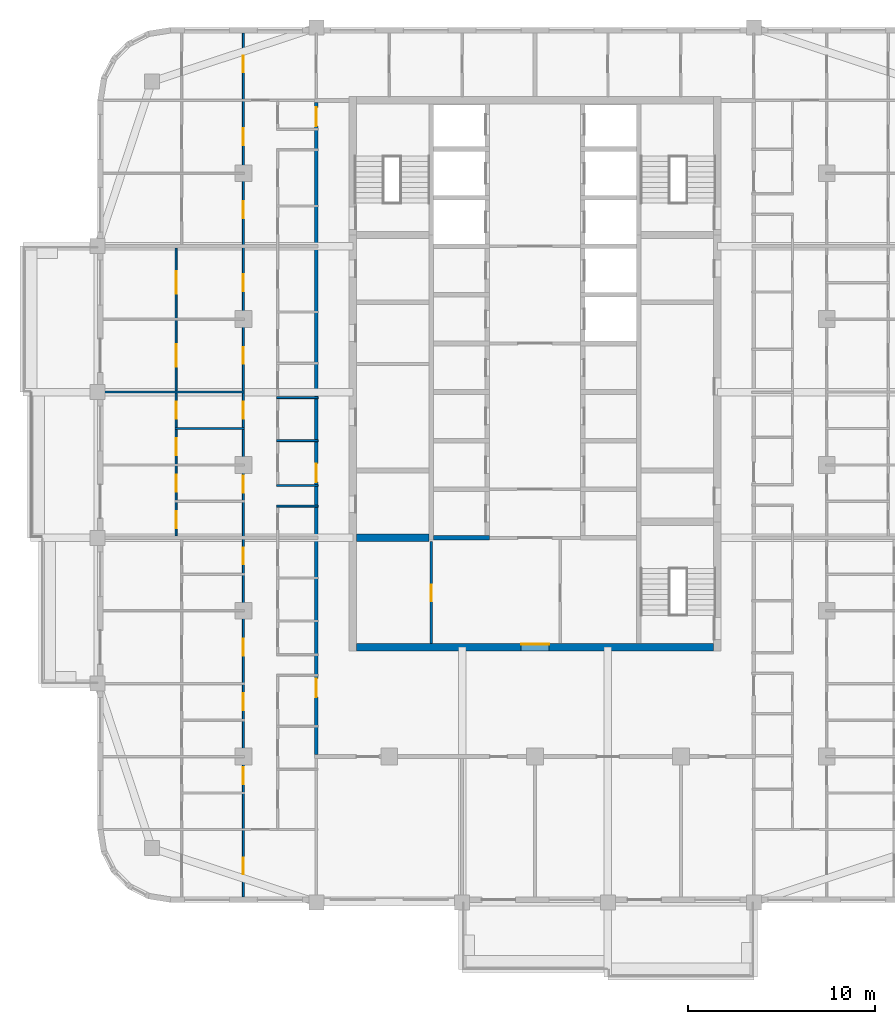
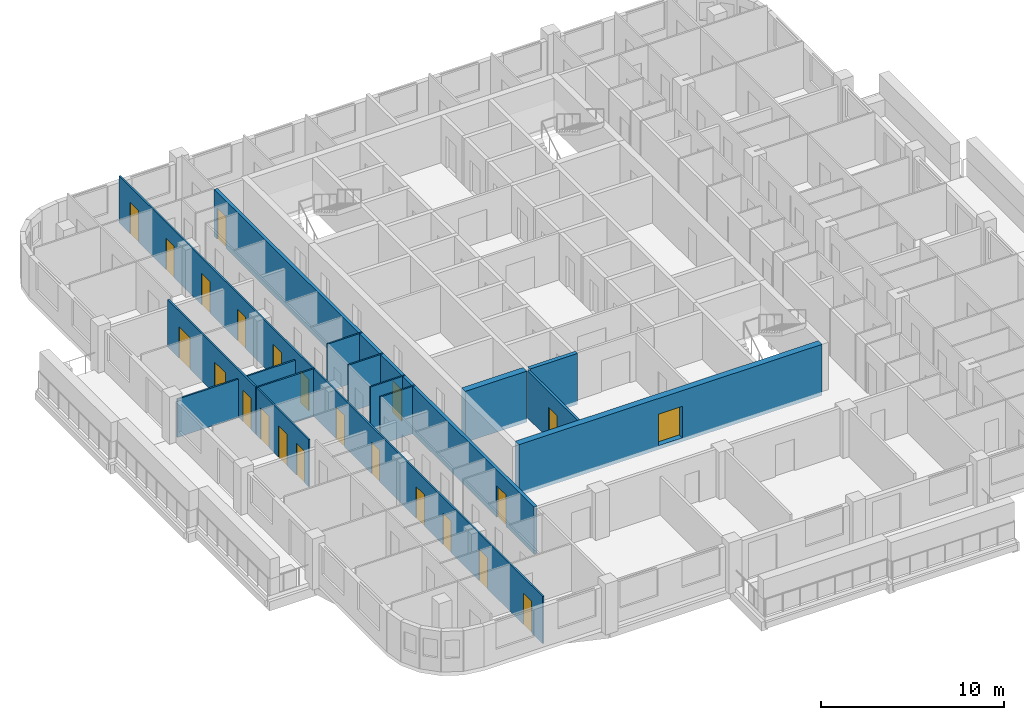
# One storey, part 4 of 16: 23 doors, 13 walls, 23 openings.
"""IFC4 building model written with IfcOpenShell, lengths in metres."""

from ifc_helpers import new_model, si_unit, direction, frame, frame_2d, origin, place, context, subcontext, project, spatial, rectangle, extrude, material, layer, layer_set, type_object, element, fill, save


model = new_model("IFC4")

# Units and contexts
model_context = context("Model", 3, precision=1e-05, world=origin(), true_north=direction((0.0, 1.0)))
body_context = subcontext(model_context, "Body", "Model", "MODEL_VIEW")
ifc_project = project(units=[si_unit("LENGTHUNIT", "METRE"), si_unit("AREAUNIT", "SQUARE_METRE"), si_unit("VOLUMEUNIT", "CUBIC_METRE"), si_unit("PLANEANGLEUNIT", "RADIAN"), si_unit("MASSUNIT", "GRAM", prefix="KILO")], contexts=[model_context])

# Site, building, storey
site_placement = place(None, origin())
site = spatial("IfcSite", under=ifc_project, at=site_placement, CompositionType="ELEMENT")
building_placement = place(site_placement, origin())
building = spatial("IfcBuilding", under=site, at=building_placement, Name="Ludao Terraces", CompositionType="ELEMENT")
storey_placement = place(building_placement, frame((0.0, 0.0, 234.699951171875)))
storey = spatial("IfcBuildingStorey", under=building, at=storey_placement, Name="L64", CompositionType="ELEMENT", Elevation=234.699951171875)

# Wall, opening, door
ifc_material_1 = material(Name="Concrete C50", Category="concrete")
ifc_layer_1 = layer(ifc_material_1, 0.39990234375)
ifc_layer_set_1 = layer_set([ifc_layer_1], Name="Core wall 400 C50")
wall_type_1 = type_object("IfcWallType", Name="Core wall 400 C50", PredefinedType="SOLIDWALL", material=ifc_layer_set_1)
wall_1_placement = place(storey_placement, frame((75.449951171875, 55.25, -0.25), z_axis=(0.0, 0.0, 1.0), x_axis=(1.0, 0.0, 0.0)))
wall_1 = element("IfcWall", 1, at=wall_1_placement, inside=storey, type_object=wall_type_1, Name="Core wall L64 outer-S", PredefinedType="SOLIDWALL", context=body_context, shape_type="SweptSolid", body=[
    extrude(rectangle(XDim=19.10009765625, YDim=0.39990234375, at=frame_2d((9.550048828125, 0.0))), origin(), (0.0, 0.0, 1.0), 3.400146484375),
])
opening_1_placement = place(wall_1_placement, frame((8.800048828125, 0.0, 0.25)))
opening_1 = element("IfcOpeningElement", 2, at=opening_1_placement, cuts=wall_1, Name="Opening R23-034", PredefinedType="OPENING", context=body_context, shape_type="SweptSolid", body=[
    extrude(rectangle(XDim=1.5, YDim=2.10009765625, at=frame_2d((0.75, 1.050048828125))), frame((0.0, 0.2099609375, 0.0), z_axis=(0.0, -1.0, 0.0), x_axis=(1.0, 0.0, 0.0)), (0.0, 0.0, 1.0), 0.419921875),
])
ifc_material_2 = material(Name="Steel Q235", Category="steel")
door_type_1 = type_object("IfcDoorType", Name="INT Lobby door 1500", OperationType="DOUBLE_DOOR_SINGLE_SWING", PredefinedType="DOOR", material=ifc_material_2)
door_1_placement = place(opening_1_placement, origin())
door_1 = element("IfcDoor", 3, at=door_1_placement, inside=storey, type_object=door_type_1, Name="DOOR 034", OperationType="DOUBLE_DOOR_SINGLE_SWING", OverallHeight=2.10009765625, OverallWidth=1.5, PredefinedType="DOOR", context=body_context, shape_type="SweptSolid", body=[
    extrude(rectangle(XDim=1.5, YDim=2.10009765625, at=frame_2d((0.75, 1.050048828125))), frame((0.0, 0.18505859375, 0.0), z_axis=(0.0, -1.0, 0.0), x_axis=(1.0, 0.0, 0.0)), (0.0, 0.0, 1.0), 0.050048828125),
])
fill(opening_1, door_1)

ifc_material_3 = material(Name="Fire-rated gypsum plasterboard", Category="gypsum")
ifc_layer_2 = layer(ifc_material_3, 0.012451171875, Category="gypsum")
ifc_material_4 = material(Name="Mineral wool")
ifc_layer_3 = layer(ifc_material_4, 0.10009765625, Name="insulation")
ifc_layer_4 = layer(ifc_material_2, 0.02490234375, Name="stud")
ifc_layer_5 = layer(ifc_material_3, 0.012451171875, Category="gypsum")
ifc_layer_set_2 = layer_set([ifc_layer_2, ifc_layer_3, ifc_layer_4, ifc_layer_5], Name="INT Core partition 150")
wall_type_2 = type_object("IfcWallType", Name="INT Core partition 150", PredefinedType="PARTITIONING", material=ifc_layer_set_2)
wall_2_placement = place(storey_placement, frame((79.449951171875, 55.4501953125, 0.0), z_axis=(0.0, 0.0, 1.0), x_axis=(0.0, 1.0, 0.0)))
wall_2 = element("IfcWall", 4, at=wall_2_placement, inside=storey, type_object=wall_type_2, Name="PW-L64-PW083", PredefinedType="PARTITIONING", context=body_context, shape_type="SweptSolid", body=[
    extrude(rectangle(XDim=5.449951171875, YDim=0.14990234375, at=frame_2d((2.72509765625, 0.0))), origin(), (0.0, 0.0, 1.0), 3.150146484375),
])
opening_2_placement = place(wall_2_placement, frame((2.25, 0.0, 0.0)))
opening_2 = element("IfcOpeningElement", 5, at=opening_2_placement, cuts=wall_2, Name="Opening R23-041", PredefinedType="OPENING", context=body_context, shape_type="SweptSolid", body=[
    extrude(rectangle(XDim=0.89990234375, YDim=2.10009765625, at=frame_2d((0.449951171875, 1.050048828125))), frame((0.0, 0.0849609375, 0.0), z_axis=(0.0, -1.0, 0.0), x_axis=(1.0, 0.0, 0.0)), (0.0, 0.0, 1.0), 0.169921875),
])
ifc_material_5 = material(Name="Timber door leaf", Category="wood")
door_type_2 = type_object("IfcDoorType", Name="INT Room door 900", OperationType="SINGLE_SWING_LEFT", PredefinedType="DOOR", material=ifc_material_5)
door_2_placement = place(opening_2_placement, origin())
door_2 = element("IfcDoor", 6, at=door_2_placement, inside=storey, type_object=door_type_2, Name="DOOR 041", OperationType="SINGLE_SWING_LEFT", OverallHeight=2.10009765625, OverallWidth=0.89990234375, PredefinedType="DOOR", context=body_context, shape_type="SweptSolid", body=[
    extrude(rectangle(XDim=0.89990234375, YDim=2.10009765625, at=frame_2d((0.449951171875, 1.050048828125))), frame((0.0, 0.02490234375, 0.0), z_axis=(0.0, -1.0, 0.0), x_axis=(1.0, 0.0, 0.0)), (0.0, 0.0, 1.0), 0.050048828125),
])
fill(opening_2, door_2)

# Wall, openings, doors
ifc_material_6 = material(Name="Autoclaved aerated concrete block B06 A3.5", Category="concrete")
ifc_layer_6 = layer(ifc_material_6, 0.199951171875)
ifc_layer_set_3 = layer_set([ifc_layer_6], Name="INT Entrance wall 200")
wall_type_3 = type_object("IfcWallType", Name="INT Entrance wall 200", PredefinedType="PARTITIONING", material=ifc_layer_set_3)
wall_3_placement = place(storey_placement, frame((73.300048828125, 49.5, 0.0), z_axis=(0.0, 0.0, 1.0), x_axis=(0.0, 1.0, 0.0)))
wall_3 = element("IfcWall", 7, at=wall_3_placement, inside=storey, type_object=wall_type_3, Name="PW-L64-PW080", PredefinedType="PARTITIONING", context=body_context, shape_type="SweptSolid", body=[
    extrude(rectangle(XDim=34.900146484375, YDim=0.199951171875, at=frame_2d((17.4501953125, 0.0))), origin(), (0.0, 0.0, 1.0), 3.150146484375),
])
opening_3_placement = place(wall_3_placement, frame((3.0751953125, 0.0, 0.0)))
opening_3 = element("IfcOpeningElement", 8, at=opening_3_placement, cuts=wall_3, Name="Opening R23-030", PredefinedType="OPENING", context=body_context, shape_type="SweptSolid", body=[
    extrude(rectangle(XDim=1.0, YDim=2.10009765625, at=frame_2d((0.5, 1.050048828125))), frame((0.0, 0.10986328125, 0.0), z_axis=(0.0, -1.0, 0.0), x_axis=(1.0, 0.0, 0.0)), (0.0, 0.0, 1.0), 0.219970703125),
])
opening_4_placement = place(wall_3_placement, frame((14.5751953125, 0.0, 0.0)))
opening_4 = element("IfcOpeningElement", 9, at=opening_4_placement, cuts=wall_3, Name="Opening R23-065", PredefinedType="OPENING", context=body_context, shape_type="SweptSolid", body=[
    extrude(rectangle(XDim=1.0, YDim=2.10009765625, at=frame_2d((0.5, 1.050048828125))), frame((0.0, 0.10986328125, 0.0), z_axis=(0.0, -1.0, 0.0), x_axis=(1.0, 0.0, 0.0)), (0.0, 0.0, 1.0), 0.219970703125),
])
opening_5_placement = place(wall_3_placement, frame((33.625, 0.0, 0.0)))
opening_5 = element("IfcOpeningElement", 10, at=opening_5_placement, cuts=wall_3, Name="Opening R23-131", PredefinedType="OPENING", context=body_context, shape_type="SweptSolid", body=[
    extrude(rectangle(XDim=1.0, YDim=2.10009765625, at=frame_2d((0.5, 1.050048828125))), frame((0.0, 0.10986328125, 0.0), z_axis=(0.0, -1.0, 0.0), x_axis=(1.0, 0.0, 0.0)), (0.0, 0.0, 1.0), 0.219970703125),
])
door_type_3 = type_object("IfcDoorType", Name="INT Flat entrance door 1000", OperationType="SINGLE_SWING_LEFT", PredefinedType="DOOR", material=ifc_material_2)
door_3_placement = place(opening_3_placement, origin())
door_3 = element("IfcDoor", 11, at=door_3_placement, inside=storey, type_object=door_type_3, Name="DOOR 030", OperationType="SINGLE_SWING_LEFT", OverallHeight=2.10009765625, OverallWidth=1.0, PredefinedType="DOOR", context=body_context, shape_type="SweptSolid", body=[
    extrude(rectangle(XDim=1.0, YDim=2.10009765625, at=frame_2d((0.5, 1.050048828125))), frame((0.0, 0.02490234375, 0.0), z_axis=(0.0, -1.0, 0.0), x_axis=(1.0, 0.0, 0.0)), (0.0, 0.0, 1.0), 0.050048828125),
])
fill(opening_3, door_3)
door_4_placement = place(opening_4_placement, origin())
door_4 = element("IfcDoor", 12, at=door_4_placement, inside=storey, type_object=door_type_3, Name="DOOR 065", OperationType="SINGLE_SWING_RIGHT", OverallHeight=2.10009765625, OverallWidth=1.0, PredefinedType="DOOR", context=body_context, shape_type="SweptSolid", body=[
    extrude(rectangle(XDim=1.0, YDim=2.10009765625, at=frame_2d((0.5, 1.050048828125))), frame((0.0, 0.02490234375, 0.0), z_axis=(0.0, -1.0, 0.0), x_axis=(1.0, 0.0, 0.0)), (0.0, 0.0, 1.0), 0.050048828125),
])
fill(opening_4, door_4)
door_5_placement = place(opening_5_placement, origin())
door_5 = element("IfcDoor", 13, at=door_5_placement, inside=storey, type_object=door_type_3, Name="DOOR 131", OperationType="SINGLE_SWING_RIGHT", OverallHeight=2.10009765625, OverallWidth=1.0, PredefinedType="DOOR", context=body_context, shape_type="SweptSolid", body=[
    extrude(rectangle(XDim=1.0, YDim=2.10009765625, at=frame_2d((0.5, 1.050048828125))), frame((0.0, 0.02490234375, 0.0), z_axis=(0.0, -1.0, 0.0), x_axis=(1.0, 0.0, 0.0)), (0.0, 0.0, 1.0), 0.050048828125),
])
fill(opening_5, door_5)

# Walls
ifc_material_7 = material(Name="Gypsum plasterboard", Category="gypsum")
ifc_layer_7 = layer(ifc_material_7, 0.012451171875, Category="gypsum")
ifc_layer_8 = layer(ifc_material_4, 0.06005859375, Name="insulation")
ifc_layer_9 = layer(ifc_material_2, 0.014892578125, Name="stud")
ifc_layer_10 = layer(ifc_material_7, 0.012451171875, Category="gypsum")
ifc_layer_set_4 = layer_set([ifc_layer_7, ifc_layer_8, ifc_layer_9, ifc_layer_10], Name="INT Partition 100")
wall_type_4 = type_object("IfcWallType", Name="INT Partition 100", PredefinedType="PARTITIONING", material=ifc_layer_set_4)
for number, where, z_axis, x_axis, name in (
    (14, (71.18017578125, 62.800048828125, 0.0), (0.0, 0.0, 1.0), (1.0, 0.0, 0.0), "PW-L64-PW030"),
    (15, (71.18017578125, 63.89990234375, 0.0), (0.0, 0.0, 1.0), (1.0, 0.0, 0.0), "PW-L64-PW035"),
    (16, (71.18017578125, 66.300048828125, 0.0), (0.0, 0.0, 1.0), (1.0, 0.0, 0.0), "PW-L64-PW039"),
):
    element("IfcWall", number, at=place(storey_placement, frame(where, z_axis=z_axis, x_axis=x_axis)), inside=storey, type_object=wall_type_4, Name=name, PredefinedType="PARTITIONING", context=body_context, shape_type="SweptSolid", body=[
        extrude(rectangle(XDim=2.219970703125, YDim=0.10009765625, at=frame_2d((1.10986328125, 0.0))), origin(), (0.0, 0.0, 1.0), 3.150146484375),
    ])
wall_4_placement = place(storey_placement, frame((65.75, 66.949951171875, 0.0), z_axis=(0.0, 0.0, 1.0), x_axis=(1.0, 0.0, 0.0)))
element("IfcWall", 17, at=wall_4_placement, inside=storey, type_object=wall_type_4, Name="PW-L64-PW041", PredefinedType="PARTITIONING", context=body_context, shape_type="SweptSolid", body=[
    extrude(rectangle(XDim=3.7001953125, YDim=0.10009765625, at=frame_2d((1.85009765625, 0.0))), origin(), (0.0, 0.0, 1.0), 3.150146484375),
])
wall_5_placement = place(storey_placement, frame((71.18017578125, 68.60009765625, 0.0), z_axis=(0.0, 0.0, 1.0), x_axis=(1.0, 0.0, 0.0)))
element("IfcWall", 18, at=wall_5_placement, inside=storey, type_object=wall_type_4, Name="PW-L64-PW043", PredefinedType="PARTITIONING", context=body_context, shape_type="SweptSolid", body=[
    extrude(rectangle(XDim=2.219970703125, YDim=0.10009765625, at=frame_2d((1.10986328125, 0.0))), origin(), (0.0, 0.0, 1.0), 3.150146484375),
])
wall_6_placement = place(storey_placement, frame((61.900146484375, 68.89990234375, 0.0), z_axis=(0.0, 0.0, 1.0), x_axis=(1.0, 0.0, 0.0)))
element("IfcWall", 19, at=wall_6_placement, inside=storey, type_object=wall_type_4, Name="PW-L64-PW045", PredefinedType="PARTITIONING", context=body_context, shape_type="SweptSolid", body=[
    extrude(rectangle(XDim=7.550048828125, YDim=0.10009765625, at=frame_2d((3.77490234375, 0.0))), origin(), (0.0, 0.0, 1.0), 2.550048828125),
])

# Wall, openings, doors
wall_7_placement = place(storey_placement, frame((65.800048828125, 61.2001953125, 0.0), z_axis=(0.0, 0.0, 1.0), x_axis=(0.0, 1.0, 0.0)))
wall_7 = element("IfcWall", 20, at=wall_7_placement, inside=storey, type_object=wall_type_4, Name="PW-L64-PW071", PredefinedType="PARTITIONING", context=body_context, shape_type="SweptSolid", body=[
    extrude(rectangle(XDim=15.39990234375, YDim=0.10009765625, at=frame_2d((7.699951171875, 0.0))), origin(), (0.0, 0.0, 1.0), 3.150146484375),
])
opening_6_placement = place(wall_7_placement, frame((0.4248046875, 0.0, 0.0)))
opening_6 = element("IfcOpeningElement", 21, at=opening_6_placement, cuts=wall_7, Name="Opening R23-054", PredefinedType="OPENING", context=body_context, shape_type="SweptSolid", body=[
    extrude(rectangle(XDim=0.89990234375, YDim=2.10009765625, at=frame_2d((0.449951171875, 1.050048828125))), frame((0.0, 0.06005859375, 0.0), z_axis=(0.0, -1.0, 0.0), x_axis=(1.0, 0.0, 0.0)), (0.0, 0.0, 1.0), 0.1201171875),
])
opening_7_placement = place(wall_7_placement, frame((2.375, 0.0, 0.0)))
opening_7 = element("IfcOpeningElement", 22, at=opening_7_placement, cuts=wall_7, Name="Opening R23-063", PredefinedType="OPENING", context=body_context, shape_type="SweptSolid", body=[
    extrude(rectangle(XDim=0.89990234375, YDim=2.10009765625, at=frame_2d((0.449951171875, 1.050048828125))), frame((0.0, 0.06005859375, 0.0), z_axis=(0.0, -1.0, 0.0), x_axis=(1.0, 0.0, 0.0)), (0.0, 0.0, 1.0), 0.1201171875),
])
opening_8_placement = place(wall_7_placement, frame((4.324951171875, 0.0, 0.0)))
opening_8 = element("IfcOpeningElement", 23, at=opening_8_placement, cuts=wall_7, Name="Opening R23-071", PredefinedType="OPENING", context=body_context, shape_type="SweptSolid", body=[
    extrude(rectangle(XDim=0.89990234375, YDim=2.10009765625, at=frame_2d((0.449951171875, 1.050048828125))), frame((0.0, 0.06005859375, 0.0), z_axis=(0.0, -1.0, 0.0), x_axis=(1.0, 0.0, 0.0)), (0.0, 0.0, 1.0), 0.1201171875),
])
opening_9_placement = place(wall_7_placement, frame((6.27490234375, 0.0, 0.0)))
opening_9 = element("IfcOpeningElement", 24, at=opening_9_placement, cuts=wall_7, Name="Opening R23-078", PredefinedType="OPENING", context=body_context, shape_type="SweptSolid", body=[
    extrude(rectangle(XDim=0.89990234375, YDim=2.10009765625, at=frame_2d((0.449951171875, 1.050048828125))), frame((0.0, 0.06005859375, 0.0), z_axis=(0.0, -1.0, 0.0), x_axis=(1.0, 0.0, 0.0)), (0.0, 0.0, 1.0), 0.1201171875),
])
opening_10_placement = place(wall_7_placement, frame((9.0498046875, 0.0, 0.0)))
opening_10 = element("IfcOpeningElement", 25, at=opening_10_placement, cuts=wall_7, Name="Opening R23-087", PredefinedType="OPENING", context=body_context, shape_type="SweptSolid", body=[
    extrude(rectangle(XDim=1.199951171875, YDim=2.10009765625, at=frame_2d((0.60009765625, 1.050048828125))), frame((0.0, 0.06005859375, 0.0), z_axis=(0.0, -1.0, 0.0), x_axis=(1.0, 0.0, 0.0)), (0.0, 0.0, 1.0), 0.1201171875),
])
opening_11_placement = place(wall_7_placement, frame((12.949951171875, 0.0, 0.0)))
opening_11 = element("IfcOpeningElement", 26, at=opening_11_placement, cuts=wall_7, Name="Opening R23-098", PredefinedType="OPENING", context=body_context, shape_type="SweptSolid", body=[
    extrude(rectangle(XDim=1.199951171875, YDim=2.10009765625, at=frame_2d((0.60009765625, 1.050048828125))), frame((0.0, 0.06005859375, 0.0), z_axis=(0.0, -1.0, 0.0), x_axis=(1.0, 0.0, 0.0)), (0.0, 0.0, 1.0), 0.1201171875),
])
door_type_4 = type_object("IfcDoorType", Name="INT Bathroom door 900", OperationType="SINGLE_SWING_LEFT", PredefinedType="DOOR", material=ifc_material_5)
door_6_placement = place(opening_6_placement, origin())
door_6 = element("IfcDoor", 27, at=door_6_placement, inside=storey, type_object=door_type_4, Name="DOOR 054", OperationType="SINGLE_SWING_RIGHT", OverallHeight=2.10009765625, OverallWidth=0.89990234375, PredefinedType="DOOR", context=body_context, shape_type="SweptSolid", body=[
    extrude(rectangle(XDim=0.89990234375, YDim=2.10009765625, at=frame_2d((0.449951171875, 1.050048828125))), frame((0.0, 0.02490234375, 0.0), z_axis=(0.0, -1.0, 0.0), x_axis=(1.0, 0.0, 0.0)), (0.0, 0.0, 1.0), 0.050048828125),
])
fill(opening_6, door_6)
door_7_placement = place(opening_8_placement, origin())
door_7 = element("IfcDoor", 28, at=door_7_placement, inside=storey, type_object=door_type_4, Name="DOOR 071", OperationType="SINGLE_SWING_RIGHT", OverallHeight=2.10009765625, OverallWidth=0.89990234375, PredefinedType="DOOR", context=body_context, shape_type="SweptSolid", body=[
    extrude(rectangle(XDim=0.89990234375, YDim=2.10009765625, at=frame_2d((0.449951171875, 1.050048828125))), frame((0.0, 0.02490234375, 0.0), z_axis=(0.0, -1.0, 0.0), x_axis=(1.0, 0.0, 0.0)), (0.0, 0.0, 1.0), 0.050048828125),
])
fill(opening_8, door_7)
door_type_5 = type_object("IfcDoorType", Name="INT Double door 1200", OperationType="DOUBLE_DOOR_SINGLE_SWING", PredefinedType="DOOR", material=ifc_material_5)
door_8_placement = place(opening_10_placement, origin())
door_8 = element("IfcDoor", 29, at=door_8_placement, inside=storey, type_object=door_type_5, Name="DOOR 087", OperationType="DOUBLE_DOOR_SINGLE_SWING", OverallHeight=2.10009765625, OverallWidth=1.199951171875, PredefinedType="DOOR", context=body_context, shape_type="SweptSolid", body=[
    extrude(rectangle(XDim=1.199951171875, YDim=2.10009765625, at=frame_2d((0.60009765625, 1.050048828125))), frame((0.0, 0.02490234375, 0.0), z_axis=(0.0, -1.0, 0.0), x_axis=(1.0, 0.0, 0.0)), (0.0, 0.0, 1.0), 0.050048828125),
])
fill(opening_10, door_8)
door_9_placement = place(opening_11_placement, origin())
door_9 = element("IfcDoor", 30, at=door_9_placement, inside=storey, type_object=door_type_5, Name="DOOR 098", OperationType="DOUBLE_DOOR_SINGLE_SWING", OverallHeight=2.10009765625, OverallWidth=1.199951171875, PredefinedType="DOOR", context=body_context, shape_type="SweptSolid", body=[
    extrude(rectangle(XDim=1.199951171875, YDim=2.10009765625, at=frame_2d((0.60009765625, 1.050048828125))), frame((0.0, 0.02490234375, 0.0), z_axis=(0.0, -1.0, 0.0), x_axis=(1.0, 0.0, 0.0)), (0.0, 0.0, 1.0), 0.050048828125),
])
fill(opening_11, door_9)
door_10_placement = place(opening_7_placement, origin())
door_10 = element("IfcDoor", 31, at=door_10_placement, inside=storey, type_object=door_type_2, Name="DOOR 063", OperationType="SINGLE_SWING_RIGHT", OverallHeight=2.10009765625, OverallWidth=0.89990234375, PredefinedType="DOOR", context=body_context, shape_type="SweptSolid", body=[
    extrude(rectangle(XDim=0.89990234375, YDim=2.10009765625, at=frame_2d((0.449951171875, 1.050048828125))), frame((0.0, 0.02490234375, 0.0), z_axis=(0.0, -1.0, 0.0), x_axis=(1.0, 0.0, 0.0)), (0.0, 0.0, 1.0), 0.050048828125),
])
fill(opening_7, door_10)
door_11_placement = place(opening_9_placement, origin())
door_11 = element("IfcDoor", 32, at=door_11_placement, inside=storey, type_object=door_type_2, Name="DOOR 078", OperationType="SINGLE_SWING_LEFT", OverallHeight=2.10009765625, OverallWidth=0.89990234375, PredefinedType="DOOR", context=body_context, shape_type="SweptSolid", body=[
    extrude(rectangle(XDim=0.89990234375, YDim=2.10009765625, at=frame_2d((0.449951171875, 1.050048828125))), frame((0.0, 0.02490234375, 0.0), z_axis=(0.0, -1.0, 0.0), x_axis=(1.0, 0.0, 0.0)), (0.0, 0.0, 1.0), 0.050048828125),
])
fill(opening_9, door_11)

wall_8_placement = place(storey_placement, frame((69.39990234375, 41.900146484375, 0.0), z_axis=(0.0, 0.0, 1.0), x_axis=(0.0, 1.0, 0.0)))
wall_8 = element("IfcWall", 33, at=wall_8_placement, inside=storey, type_object=wall_type_4, Name="PW-L64-PW074", PredefinedType="PARTITIONING", context=body_context, shape_type="SweptSolid", body=[
    extrude(rectangle(XDim=46.199951171875, YDim=0.10009765625, at=frame_2d((23.10009765625, 0.0))), origin(), (0.0, 0.0, 1.0), 3.150146484375),
])
opening_12_placement = place(wall_8_placement, frame((1.199951171875, 0.0, 0.0)))
opening_12 = element("IfcOpeningElement", 34, at=opening_12_placement, cuts=wall_8, Name="Opening R23-002", PredefinedType="OPENING", context=body_context, shape_type="SweptSolid", body=[
    extrude(rectangle(XDim=0.89990234375, YDim=2.10009765625, at=frame_2d((0.449951171875, 1.050048828125))), frame((0.0, 0.06005859375, 0.0), z_axis=(0.0, -1.0, 0.0), x_axis=(1.0, 0.0, 0.0)), (0.0, 0.0, 1.0), 0.1201171875),
])
opening_13_placement = place(wall_8_placement, frame((6.02490234375, 0.0, 0.0)))
opening_13 = element("IfcOpeningElement", 35, at=opening_13_placement, cuts=wall_8, Name="Opening R23-011", PredefinedType="OPENING", context=body_context, shape_type="SweptSolid", body=[
    extrude(rectangle(XDim=0.89990234375, YDim=2.10009765625, at=frame_2d((0.449951171875, 1.050048828125))), frame((0.0, 0.06005859375, 0.0), z_axis=(0.0, -1.0, 0.0), x_axis=(1.0, 0.0, 0.0)), (0.0, 0.0, 1.0), 0.1201171875),
])
opening_14_placement = place(wall_8_placement, frame((9.97509765625, 0.0, 0.0)))
opening_14 = element("IfcOpeningElement", 36, at=opening_14_placement, cuts=wall_8, Name="Opening R23-025", PredefinedType="OPENING", context=body_context, shape_type="SweptSolid", body=[
    extrude(rectangle(XDim=0.89990234375, YDim=2.10009765625, at=frame_2d((0.449951171875, 1.050048828125))), frame((0.0, 0.06005859375, 0.0), z_axis=(0.0, -1.0, 0.0), x_axis=(1.0, 0.0, 0.0)), (0.0, 0.0, 1.0), 0.1201171875),
])
opening_15_placement = place(wall_8_placement, frame((12.89990234375, 0.0, 0.0)))
opening_15 = element("IfcOpeningElement", 37, at=opening_15_placement, cuts=wall_8, Name="Opening R23-033", PredefinedType="OPENING", context=body_context, shape_type="SweptSolid", body=[
    extrude(rectangle(XDim=0.89990234375, YDim=2.10009765625, at=frame_2d((0.449951171875, 1.050048828125))), frame((0.0, 0.06005859375, 0.0), z_axis=(0.0, -1.0, 0.0), x_axis=(1.0, 0.0, 0.0)), (0.0, 0.0, 1.0), 0.1201171875),
])
opening_16_placement = place(wall_8_placement, frame((17.77490234375, 0.0, 0.0)))
opening_16 = element("IfcOpeningElement", 38, at=opening_16_placement, cuts=wall_8, Name="Opening R23-048", PredefinedType="OPENING", context=body_context, shape_type="SweptSolid", body=[
    extrude(rectangle(XDim=0.89990234375, YDim=2.10009765625, at=frame_2d((0.449951171875, 1.050048828125))), frame((0.0, 0.06005859375, 0.0), z_axis=(0.0, -1.0, 0.0), x_axis=(1.0, 0.0, 0.0)), (0.0, 0.0, 1.0), 0.1201171875),
])
opening_17_placement = place(wall_8_placement, frame((21.625, 0.0, 0.0)))
opening_17 = element("IfcOpeningElement", 39, at=opening_17_placement, cuts=wall_8, Name="Opening R23-061", PredefinedType="OPENING", context=body_context, shape_type="SweptSolid", body=[
    extrude(rectangle(XDim=0.89990234375, YDim=2.10009765625, at=frame_2d((0.449951171875, 1.050048828125))), frame((0.0, 0.06005859375, 0.0), z_axis=(0.0, -1.0, 0.0), x_axis=(1.0, 0.0, 0.0)), (0.0, 0.0, 1.0), 0.1201171875),
])
opening_18_placement = place(wall_8_placement, frame((25.574951171875, 0.0, 0.0)))
opening_18 = element("IfcOpeningElement", 40, at=opening_18_placement, cuts=wall_8, Name="Opening R23-079", PredefinedType="OPENING", context=body_context, shape_type="SweptSolid", body=[
    extrude(rectangle(XDim=0.89990234375, YDim=2.10009765625, at=frame_2d((0.449951171875, 1.050048828125))), frame((0.0, 0.06005859375, 0.0), z_axis=(0.0, -1.0, 0.0), x_axis=(1.0, 0.0, 0.0)), (0.0, 0.0, 1.0), 0.1201171875),
])
opening_19_placement = place(wall_8_placement, frame((28.5, 0.0, 0.0)))
opening_19 = element("IfcOpeningElement", 41, at=opening_19_placement, cuts=wall_8, Name="Opening R23-088", PredefinedType="OPENING", context=body_context, shape_type="SweptSolid", body=[
    extrude(rectangle(XDim=0.89990234375, YDim=2.10009765625, at=frame_2d((0.449951171875, 1.050048828125))), frame((0.0, 0.06005859375, 0.0), z_axis=(0.0, -1.0, 0.0), x_axis=(1.0, 0.0, 0.0)), (0.0, 0.0, 1.0), 0.1201171875),
])
opening_20_placement = place(wall_8_placement, frame((32.39990234375, 0.0, 0.0)))
opening_20 = element("IfcOpeningElement", 42, at=opening_20_placement, cuts=wall_8, Name="Opening R23-099", PredefinedType="OPENING", context=body_context, shape_type="SweptSolid", body=[
    extrude(rectangle(XDim=0.89990234375, YDim=2.10009765625, at=frame_2d((0.449951171875, 1.050048828125))), frame((0.0, 0.06005859375, 0.0), z_axis=(0.0, -1.0, 0.0), x_axis=(1.0, 0.0, 0.0)), (0.0, 0.0, 1.0), 0.1201171875),
])
opening_21_placement = place(wall_8_placement, frame((36.300048828125, 0.0, 0.0)))
opening_21 = element("IfcOpeningElement", 43, at=opening_21_placement, cuts=wall_8, Name="Opening R23-116", PredefinedType="OPENING", context=body_context, shape_type="SweptSolid", body=[
    extrude(rectangle(XDim=0.89990234375, YDim=2.10009765625, at=frame_2d((0.449951171875, 1.050048828125))), frame((0.0, 0.06005859375, 0.0), z_axis=(0.0, -1.0, 0.0), x_axis=(1.0, 0.0, 0.0)), (0.0, 0.0, 1.0), 0.1201171875),
])
opening_22_placement = place(wall_8_placement, frame((40.199951171875, 0.0, 0.0)))
opening_22 = element("IfcOpeningElement", 44, at=opening_22_placement, cuts=wall_8, Name="Opening R23-125", PredefinedType="OPENING", context=body_context, shape_type="SweptSolid", body=[
    extrude(rectangle(XDim=0.89990234375, YDim=2.10009765625, at=frame_2d((0.449951171875, 1.050048828125))), frame((0.0, 0.06005859375, 0.0), z_axis=(0.0, -1.0, 0.0), x_axis=(1.0, 0.0, 0.0)), (0.0, 0.0, 1.0), 0.1201171875),
])
opening_23_placement = place(wall_8_placement, frame((44.10009765625, 0.0, 0.0)))
opening_23 = element("IfcOpeningElement", 45, at=opening_23_placement, cuts=wall_8, Name="Opening R23-136", PredefinedType="OPENING", context=body_context, shape_type="SweptSolid", body=[
    extrude(rectangle(XDim=0.89990234375, YDim=2.10009765625, at=frame_2d((0.449951171875, 1.050048828125))), frame((0.0, 0.06005859375, 0.0), z_axis=(0.0, -1.0, 0.0), x_axis=(1.0, 0.0, 0.0)), (0.0, 0.0, 1.0), 0.1201171875),
])
door_12_placement = place(opening_12_placement, origin())
door_12 = element("IfcDoor", 46, at=door_12_placement, inside=storey, type_object=door_type_2, Name="DOOR 002", OperationType="SINGLE_SWING_LEFT", OverallHeight=2.10009765625, OverallWidth=0.89990234375, PredefinedType="DOOR", context=body_context, shape_type="SweptSolid", body=[
    extrude(rectangle(XDim=0.89990234375, YDim=2.10009765625, at=frame_2d((0.449951171875, 1.050048828125))), frame((0.0, 0.02490234375, 0.0), z_axis=(0.0, -1.0, 0.0), x_axis=(1.0, 0.0, 0.0)), (0.0, 0.0, 1.0), 0.050048828125),
])
fill(opening_12, door_12)
door_13_placement = place(opening_13_placement, origin())
door_13 = element("IfcDoor", 47, at=door_13_placement, inside=storey, type_object=door_type_2, Name="DOOR 011", OperationType="SINGLE_SWING_LEFT", OverallHeight=2.10009765625, OverallWidth=0.89990234375, PredefinedType="DOOR", context=body_context, shape_type="SweptSolid", body=[
    extrude(rectangle(XDim=0.89990234375, YDim=2.10009765625, at=frame_2d((0.449951171875, 1.050048828125))), frame((0.0, 0.02490234375, 0.0), z_axis=(0.0, -1.0, 0.0), x_axis=(1.0, 0.0, 0.0)), (0.0, 0.0, 1.0), 0.050048828125),
])
fill(opening_13, door_13)
door_14_placement = place(opening_14_placement, origin())
door_14 = element("IfcDoor", 48, at=door_14_placement, inside=storey, type_object=door_type_2, Name="DOOR 025", OperationType="SINGLE_SWING_LEFT", OverallHeight=2.10009765625, OverallWidth=0.89990234375, PredefinedType="DOOR", context=body_context, shape_type="SweptSolid", body=[
    extrude(rectangle(XDim=0.89990234375, YDim=2.10009765625, at=frame_2d((0.449951171875, 1.050048828125))), frame((0.0, 0.02490234375, 0.0), z_axis=(0.0, -1.0, 0.0), x_axis=(1.0, 0.0, 0.0)), (0.0, 0.0, 1.0), 0.050048828125),
])
fill(opening_14, door_14)
door_15_placement = place(opening_15_placement, origin())
door_15 = element("IfcDoor", 49, at=door_15_placement, inside=storey, type_object=door_type_2, Name="DOOR 033", OperationType="SINGLE_SWING_LEFT", OverallHeight=2.10009765625, OverallWidth=0.89990234375, PredefinedType="DOOR", context=body_context, shape_type="SweptSolid", body=[
    extrude(rectangle(XDim=0.89990234375, YDim=2.10009765625, at=frame_2d((0.449951171875, 1.050048828125))), frame((0.0, 0.02490234375, 0.0), z_axis=(0.0, -1.0, 0.0), x_axis=(1.0, 0.0, 0.0)), (0.0, 0.0, 1.0), 0.050048828125),
])
fill(opening_15, door_15)
door_16_placement = place(opening_16_placement, origin())
door_16 = element("IfcDoor", 50, at=door_16_placement, inside=storey, type_object=door_type_2, Name="DOOR 048", OperationType="SINGLE_SWING_RIGHT", OverallHeight=2.10009765625, OverallWidth=0.89990234375, PredefinedType="DOOR", context=body_context, shape_type="SweptSolid", body=[
    extrude(rectangle(XDim=0.89990234375, YDim=2.10009765625, at=frame_2d((0.449951171875, 1.050048828125))), frame((0.0, 0.02490234375, 0.0), z_axis=(0.0, -1.0, 0.0), x_axis=(1.0, 0.0, 0.0)), (0.0, 0.0, 1.0), 0.050048828125),
])
fill(opening_16, door_16)
door_17_placement = place(opening_17_placement, origin())
door_17 = element("IfcDoor", 51, at=door_17_placement, inside=storey, type_object=door_type_2, Name="DOOR 061", OperationType="SINGLE_SWING_LEFT", OverallHeight=2.10009765625, OverallWidth=0.89990234375, PredefinedType="DOOR", context=body_context, shape_type="SweptSolid", body=[
    extrude(rectangle(XDim=0.89990234375, YDim=2.10009765625, at=frame_2d((0.449951171875, 1.050048828125))), frame((0.0, 0.02490234375, 0.0), z_axis=(0.0, -1.0, 0.0), x_axis=(1.0, 0.0, 0.0)), (0.0, 0.0, 1.0), 0.050048828125),
])
fill(opening_17, door_17)
door_18_placement = place(opening_18_placement, origin())
door_18 = element("IfcDoor", 52, at=door_18_placement, inside=storey, type_object=door_type_2, Name="DOOR 079", OperationType="SINGLE_SWING_LEFT", OverallHeight=2.10009765625, OverallWidth=0.89990234375, PredefinedType="DOOR", context=body_context, shape_type="SweptSolid", body=[
    extrude(rectangle(XDim=0.89990234375, YDim=2.10009765625, at=frame_2d((0.449951171875, 1.050048828125))), frame((0.0, 0.02490234375, 0.0), z_axis=(0.0, -1.0, 0.0), x_axis=(1.0, 0.0, 0.0)), (0.0, 0.0, 1.0), 0.050048828125),
])
fill(opening_18, door_18)
door_19_placement = place(opening_19_placement, origin())
door_19 = element("IfcDoor", 53, at=door_19_placement, inside=storey, type_object=door_type_2, Name="DOOR 088", OperationType="SINGLE_SWING_LEFT", OverallHeight=2.10009765625, OverallWidth=0.89990234375, PredefinedType="DOOR", context=body_context, shape_type="SweptSolid", body=[
    extrude(rectangle(XDim=0.89990234375, YDim=2.10009765625, at=frame_2d((0.449951171875, 1.050048828125))), frame((0.0, 0.02490234375, 0.0), z_axis=(0.0, -1.0, 0.0), x_axis=(1.0, 0.0, 0.0)), (0.0, 0.0, 1.0), 0.050048828125),
])
fill(opening_19, door_19)
door_20_placement = place(opening_20_placement, origin())
door_20 = element("IfcDoor", 54, at=door_20_placement, inside=storey, type_object=door_type_2, Name="DOOR 099", OperationType="SINGLE_SWING_RIGHT", OverallHeight=2.10009765625, OverallWidth=0.89990234375, PredefinedType="DOOR", context=body_context, shape_type="SweptSolid", body=[
    extrude(rectangle(XDim=0.89990234375, YDim=2.10009765625, at=frame_2d((0.449951171875, 1.050048828125))), frame((0.0, 0.02490234375, 0.0), z_axis=(0.0, -1.0, 0.0), x_axis=(1.0, 0.0, 0.0)), (0.0, 0.0, 1.0), 0.050048828125),
])
fill(opening_20, door_20)
door_21_placement = place(opening_21_placement, origin())
door_21 = element("IfcDoor", 55, at=door_21_placement, inside=storey, type_object=door_type_2, Name="DOOR 116", OperationType="SINGLE_SWING_RIGHT", OverallHeight=2.10009765625, OverallWidth=0.89990234375, PredefinedType="DOOR", context=body_context, shape_type="SweptSolid", body=[
    extrude(rectangle(XDim=0.89990234375, YDim=2.10009765625, at=frame_2d((0.449951171875, 1.050048828125))), frame((0.0, 0.02490234375, 0.0), z_axis=(0.0, -1.0, 0.0), x_axis=(1.0, 0.0, 0.0)), (0.0, 0.0, 1.0), 0.050048828125),
])
fill(opening_21, door_21)
door_22_placement = place(opening_22_placement, origin())
door_22 = element("IfcDoor", 56, at=door_22_placement, inside=storey, type_object=door_type_2, Name="DOOR 125", OperationType="SINGLE_SWING_RIGHT", OverallHeight=2.10009765625, OverallWidth=0.89990234375, PredefinedType="DOOR", context=body_context, shape_type="SweptSolid", body=[
    extrude(rectangle(XDim=0.89990234375, YDim=2.10009765625, at=frame_2d((0.449951171875, 1.050048828125))), frame((0.0, 0.02490234375, 0.0), z_axis=(0.0, -1.0, 0.0), x_axis=(1.0, 0.0, 0.0)), (0.0, 0.0, 1.0), 0.050048828125),
])
fill(opening_22, door_22)
door_23_placement = place(opening_23_placement, origin())
door_23 = element("IfcDoor", 57, at=door_23_placement, inside=storey, type_object=door_type_2, Name="DOOR 136", OperationType="SINGLE_SWING_RIGHT", OverallHeight=2.10009765625, OverallWidth=0.89990234375, PredefinedType="DOOR", context=body_context, shape_type="SweptSolid", body=[
    extrude(rectangle(XDim=0.89990234375, YDim=2.10009765625, at=frame_2d((0.449951171875, 1.050048828125))), frame((0.0, 0.02490234375, 0.0), z_axis=(0.0, -1.0, 0.0), x_axis=(1.0, 0.0, 0.0)), (0.0, 0.0, 1.0), 0.050048828125),
])
fill(opening_23, door_23)

# Walls
ifc_layer_11 = layer(ifc_material_1, 0.25)
ifc_layer_set_5 = layer_set([ifc_layer_11], Name="Shaft wall 250 C50")
wall_type_5 = type_object("IfcWallType", Name="Shaft wall 250 C50", PredefinedType="SOLIDWALL", material=ifc_layer_set_5)
wall_9_placement = place(storey_placement, frame((79.574951171875, 61.10009765625, -0.25), z_axis=(0.0, 0.0, 1.0), x_axis=(1.0, 0.0, 0.0)))
element("IfcWall", 58, at=wall_9_placement, inside=storey, type_object=wall_type_5, Name="Core wall L64 div-W1", PredefinedType="SOLIDWALL", context=body_context, shape_type="SweptSolid", body=[
    extrude(rectangle(XDim=3.0, YDim=0.25, at=frame_2d((1.5, 0.0))), origin(), (0.0, 0.0, 1.0), 3.400146484375),
])
ifc_layer_12 = layer(ifc_material_1, 0.39990234375)
ifc_layer_set_6 = layer_set([ifc_layer_12], Name="Shaft wall 400 C50")
wall_type_6 = type_object("IfcWallType", Name="Shaft wall 400 C50", PredefinedType="SOLIDWALL", material=ifc_layer_set_6)
wall_10_placement = place(storey_placement, frame((75.449951171875, 61.10009765625, -0.25), z_axis=(0.0, 0.0, 1.0), x_axis=(1.0, 0.0, 0.0)))
element("IfcWall", 59, at=wall_10_placement, inside=storey, type_object=wall_type_6, Name="Core wall L64 hall-W", PredefinedType="SOLIDWALL", context=body_context, shape_type="SweptSolid", body=[
    extrude(rectangle(XDim=3.875, YDim=0.39990234375, at=frame_2d((1.9375, 0.0))), origin(), (0.0, 0.0, 1.0), 3.400146484375),
])

save(model, "model.ifc")
